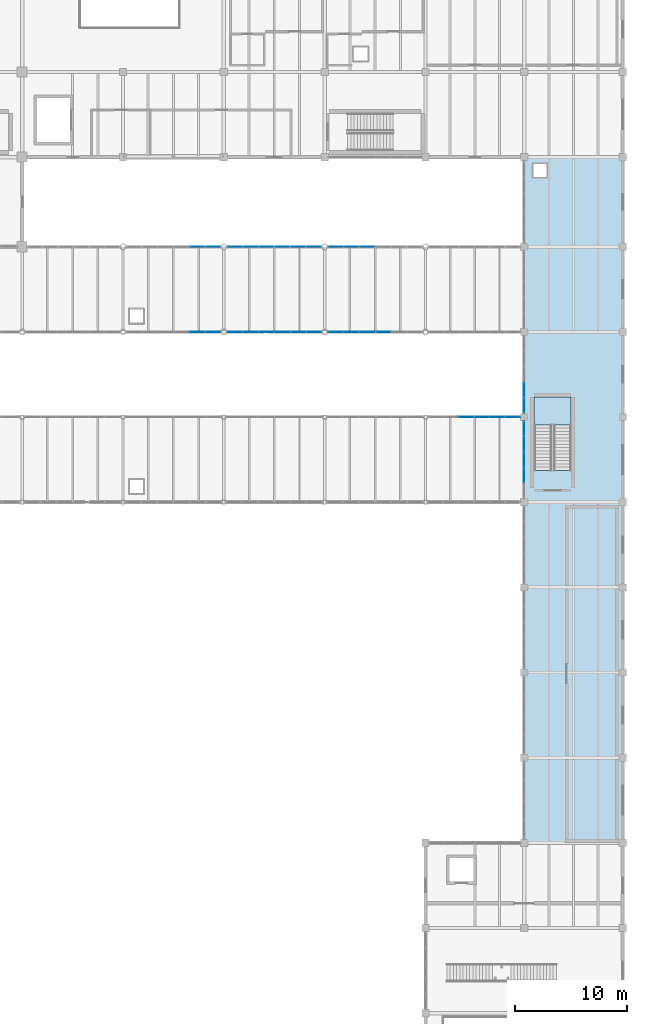
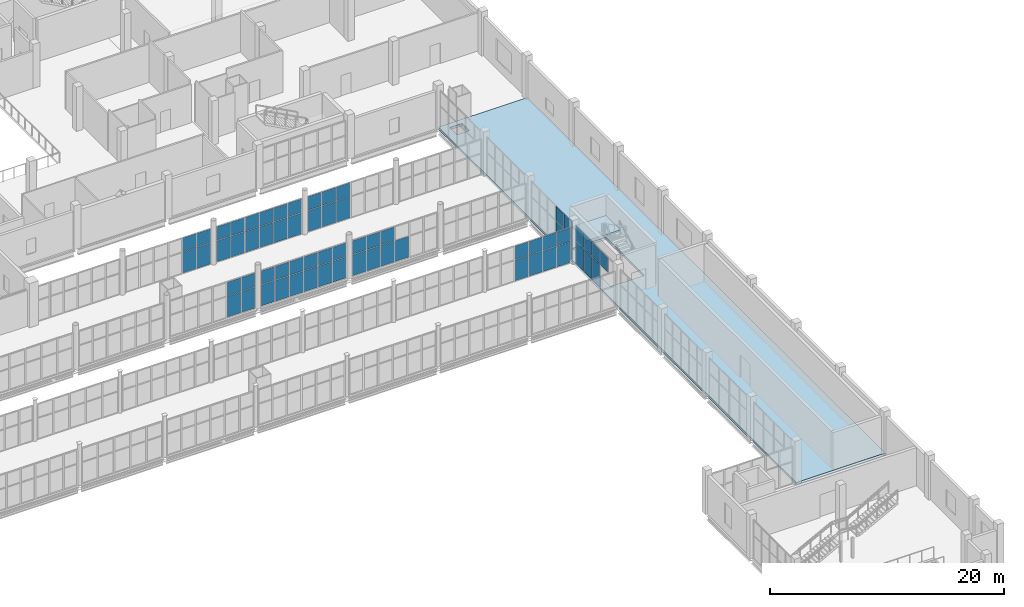
# One storey, part 139 of 172: 64 plates, 2 slabs, 10 elements without a shape of their own.
"""IFC4 building model written with IfcOpenShell, lengths in metres."""

from ifc_helpers import new_model, si_unit, direction, frame, origin, origin_2d, place, context, subcontext, project, spatial, polyline, rectangle, outline, extrude, material, layer, layer_set, type_object, element, aggregate, save


model = new_model("IFC4")

# Units and contexts
model_context = context("Model", 3, precision=1e-05, world=origin(), true_north=direction((0.0, 1.0)))
body_context = subcontext(model_context, "Body", "Model", "MODEL_VIEW")
ifc_project = project(units=[si_unit("LENGTHUNIT", "METRE"), si_unit("AREAUNIT", "SQUARE_METRE"), si_unit("VOLUMEUNIT", "CUBIC_METRE"), si_unit("PLANEANGLEUNIT", "RADIAN"), si_unit("MASSUNIT", "GRAM", prefix="KILO")], contexts=[model_context])

# Site, building, storey
site_placement = place(None, origin())
site = spatial("IfcSite", under=ifc_project, at=site_placement, CompositionType="ELEMENT")
building_placement = place(site_placement, origin())
building = spatial("IfcBuilding", under=site, at=building_placement, Name="Shengluoqiao Park Theatre", CompositionType="ELEMENT")
storey_placement = place(building_placement, frame((0.0, 0.0, 5.39990234375)))
storey = spatial("IfcBuildingStorey", under=building, at=storey_placement, Name="L01", CompositionType="ELEMENT", Elevation=5.39990234375)

# Curtain wall, plates
ifc_material_1 = material(Name="Aluminium 6063-T6", Category="aluminium")
curtain_wall_type_1 = type_object("IfcCurtainWallType", Name="ENV-CW-BRIDGE", PredefinedType="NOTDEFINED", material=ifc_material_1)
curtain_wall_1_placement = place(storey_placement, origin())
curtain_wall_1 = element("IfcCurtainWall", 1, at=curtain_wall_1_placement, inside=storey, type_object=curtain_wall_type_1, Name="L01 Curtain Wall CWX-L01-0095", PredefinedType="NOTDEFINED")
ifc_material_2 = material(Name="Insulated glass", Category="glass")
ifc_layer_1 = layer(ifc_material_2, 0.0380859375, Name="Insulated glass")
ifc_layer_set_1 = layer_set([ifc_layer_1], Name="Insulated glass")
plate_type = type_object("IfcPlateType", Name="ENV-GLZ-GL-38", PredefinedType="CURTAIN_PANEL", material=ifc_layer_set_1)
plate_1_placement = place(storey_placement, frame((128.02099609375, 68.39990234375, 0.06005859375), z_axis=(0.0, 0.0, 1.0), x_axis=(1.0, 0.0, 0.0)))
plate_1 = element("IfcPlate", 2, at=plate_1_placement, type_object=plate_type, Name="CW-03 panel 5.1", PredefinedType="CURTAIN_PANEL", context=body_context, shape_type="SweptSolid", body=[
    extrude(rectangle(XDim=1.35400390625, YDim=0.0380859375, at=origin_2d()), origin(), (0.0, 0.0, 1.0), 2.173095703125),
])
plate_2_placement = place(storey_placement, frame((128.02099609375, 68.39990234375, 2.293212890625), z_axis=(0.0, 0.0, 1.0), x_axis=(1.0, 0.0, 0.0)))
plate_2 = element("IfcPlate", 3, at=plate_2_placement, type_object=plate_type, Name="CW-03 panel 5.2", PredefinedType="CURTAIN_PANEL", context=body_context, shape_type="SweptSolid", body=[
    extrude(rectangle(XDim=1.35400390625, YDim=0.0380859375, at=origin_2d()), origin(), (0.0, 0.0, 1.0), 1.4189453125),
])
plate_3_placement = place(storey_placement, frame((129.419921875, 68.39990234375, 0.06005859375), z_axis=(0.0, 0.0, 1.0), x_axis=(1.0, 0.0, 0.0)))
plate_3 = element("IfcPlate", 4, at=plate_3_placement, type_object=plate_type, Name="CW-03 panel 6.1", PredefinedType="CURTAIN_PANEL", context=body_context, shape_type="SweptSolid", body=[
    extrude(rectangle(XDim=1.323974609375, YDim=0.0380859375, at=origin_2d()), origin(), (0.0, 0.0, 1.0), 2.173095703125),
])
plate_4_placement = place(storey_placement, frame((129.419921875, 68.39990234375, 2.293212890625), z_axis=(0.0, 0.0, 1.0), x_axis=(1.0, 0.0, 0.0)))
plate_4 = element("IfcPlate", 5, at=plate_4_placement, type_object=plate_type, Name="CW-03 panel 6.2", PredefinedType="CURTAIN_PANEL", context=body_context, shape_type="SweptSolid", body=[
    extrude(rectangle(XDim=1.323974609375, YDim=0.0380859375, at=origin_2d()), origin(), (0.0, 0.0, 1.0), 1.4189453125),
])
aggregate(curtain_wall_1, [plate_1, plate_2, plate_3, plate_4])

curtain_wall_2_placement = place(storey_placement, origin())
curtain_wall_2 = element("IfcCurtainWall", 6, at=curtain_wall_2_placement, inside=storey, type_object=curtain_wall_type_1, Name="L01 Curtain Wall CWX-L01-0096", PredefinedType="NOTDEFINED")
plate_5_placement = place(storey_placement, frame((131.3798828125, 68.39990234375, 0.06005859375), z_axis=(0.0, 0.0, 1.0), x_axis=(1.0, 0.0, 0.0)))
plate_5 = element("IfcPlate", 7, at=plate_5_placement, type_object=plate_type, Name="CW-03 panel 1.1", PredefinedType="CURTAIN_PANEL", context=body_context, shape_type="SweptSolid", body=[
    extrude(rectangle(XDim=1.323974609375, YDim=0.0380859375, at=origin_2d()), origin(), (0.0, 0.0, 1.0), 2.173095703125),
])
plate_6_placement = place(storey_placement, frame((131.3798828125, 68.39990234375, 2.293212890625), z_axis=(0.0, 0.0, 1.0), x_axis=(1.0, 0.0, 0.0)))
plate_6 = element("IfcPlate", 8, at=plate_6_placement, type_object=plate_type, Name="CW-03 panel 1.2", PredefinedType="CURTAIN_PANEL", context=body_context, shape_type="SweptSolid", body=[
    extrude(rectangle(XDim=1.323974609375, YDim=0.0380859375, at=origin_2d()), origin(), (0.0, 0.0, 1.0), 1.4189453125),
])
plate_7_placement = place(storey_placement, frame((132.779052734375, 68.39990234375, 0.06005859375), z_axis=(0.0, 0.0, 1.0), x_axis=(1.0, 0.0, 0.0)))
plate_7 = element("IfcPlate", 9, at=plate_7_placement, type_object=plate_type, Name="CW-03 panel 2.1", PredefinedType="CURTAIN_PANEL", context=body_context, shape_type="SweptSolid", body=[
    extrude(rectangle(XDim=1.35400390625, YDim=0.0380859375, at=origin_2d()), origin(), (0.0, 0.0, 1.0), 2.173095703125),
])
plate_8_placement = place(storey_placement, frame((132.779052734375, 68.39990234375, 2.293212890625), z_axis=(0.0, 0.0, 1.0), x_axis=(1.0, 0.0, 0.0)))
plate_8 = element("IfcPlate", 10, at=plate_8_placement, type_object=plate_type, Name="CW-03 panel 2.2", PredefinedType="CURTAIN_PANEL", context=body_context, shape_type="SweptSolid", body=[
    extrude(rectangle(XDim=1.35400390625, YDim=0.0380859375, at=origin_2d()), origin(), (0.0, 0.0, 1.0), 1.4189453125),
])
plate_9_placement = place(storey_placement, frame((134.193115234375, 68.39990234375, 0.06005859375), z_axis=(0.0, 0.0, 1.0), x_axis=(1.0, 0.0, 0.0)))
plate_9 = element("IfcPlate", 11, at=plate_9_placement, type_object=plate_type, Name="CW-03 panel 3.1", PredefinedType="CURTAIN_PANEL", context=body_context, shape_type="SweptSolid", body=[
    extrude(rectangle(XDim=1.35400390625, YDim=0.0380859375, at=origin_2d()), origin(), (0.0, 0.0, 1.0), 2.173095703125),
])
plate_10_placement = place(storey_placement, frame((134.193115234375, 68.39990234375, 2.293212890625), z_axis=(0.0, 0.0, 1.0), x_axis=(1.0, 0.0, 0.0)))
plate_10 = element("IfcPlate", 12, at=plate_10_placement, type_object=plate_type, Name="CW-03 panel 3.2", PredefinedType="CURTAIN_PANEL", context=body_context, shape_type="SweptSolid", body=[
    extrude(rectangle(XDim=1.35400390625, YDim=0.0380859375, at=origin_2d()), origin(), (0.0, 0.0, 1.0), 1.4189453125),
])
plate_11_placement = place(storey_placement, frame((135.60693359375, 68.39990234375, 0.06005859375), z_axis=(0.0, 0.0, 1.0), x_axis=(1.0, 0.0, 0.0)))
plate_11 = element("IfcPlate", 13, at=plate_11_placement, type_object=plate_type, Name="CW-03 panel 4.1", PredefinedType="CURTAIN_PANEL", context=body_context, shape_type="SweptSolid", body=[
    extrude(rectangle(XDim=1.35400390625, YDim=0.0380859375, at=origin_2d()), origin(), (0.0, 0.0, 1.0), 2.173095703125),
])
plate_12_placement = place(storey_placement, frame((135.60693359375, 68.39990234375, 2.293212890625), z_axis=(0.0, 0.0, 1.0), x_axis=(1.0, 0.0, 0.0)))
plate_12 = element("IfcPlate", 14, at=plate_12_placement, type_object=plate_type, Name="CW-03 panel 4.2", PredefinedType="CURTAIN_PANEL", context=body_context, shape_type="SweptSolid", body=[
    extrude(rectangle(XDim=1.35400390625, YDim=0.0380859375, at=origin_2d()), origin(), (0.0, 0.0, 1.0), 1.4189453125),
])
plate_13_placement = place(storey_placement, frame((137.02099609375, 68.39990234375, 0.06005859375), z_axis=(0.0, 0.0, 1.0), x_axis=(1.0, 0.0, 0.0)))
plate_13 = element("IfcPlate", 15, at=plate_13_placement, type_object=plate_type, Name="CW-03 panel 5.1", PredefinedType="CURTAIN_PANEL", context=body_context, shape_type="SweptSolid", body=[
    extrude(rectangle(XDim=1.35400390625, YDim=0.0380859375, at=origin_2d()), origin(), (0.0, 0.0, 1.0), 2.173095703125),
])
plate_14_placement = place(storey_placement, frame((137.02099609375, 68.39990234375, 2.293212890625), z_axis=(0.0, 0.0, 1.0), x_axis=(1.0, 0.0, 0.0)))
plate_14 = element("IfcPlate", 16, at=plate_14_placement, type_object=plate_type, Name="CW-03 panel 5.2", PredefinedType="CURTAIN_PANEL", context=body_context, shape_type="SweptSolid", body=[
    extrude(rectangle(XDim=1.35400390625, YDim=0.0380859375, at=origin_2d()), origin(), (0.0, 0.0, 1.0), 1.4189453125),
])
plate_15_placement = place(storey_placement, frame((138.419921875, 68.39990234375, 0.06005859375), z_axis=(0.0, 0.0, 1.0), x_axis=(1.0, 0.0, 0.0)))
plate_15 = element("IfcPlate", 17, at=plate_15_placement, type_object=plate_type, Name="CW-03 panel 6.1", PredefinedType="CURTAIN_PANEL", context=body_context, shape_type="SweptSolid", body=[
    extrude(rectangle(XDim=1.323974609375, YDim=0.0380859375, at=origin_2d()), origin(), (0.0, 0.0, 1.0), 2.173095703125),
])
plate_16_placement = place(storey_placement, frame((138.419921875, 68.39990234375, 2.293212890625), z_axis=(0.0, 0.0, 1.0), x_axis=(1.0, 0.0, 0.0)))
plate_16 = element("IfcPlate", 18, at=plate_16_placement, type_object=plate_type, Name="CW-03 panel 6.2", PredefinedType="CURTAIN_PANEL", context=body_context, shape_type="SweptSolid", body=[
    extrude(rectangle(XDim=1.323974609375, YDim=0.0380859375, at=origin_2d()), origin(), (0.0, 0.0, 1.0), 1.4189453125),
])
aggregate(curtain_wall_2, [plate_5, plate_6, plate_7, plate_8, plate_9, plate_10, plate_11, plate_12, plate_13, plate_14, plate_15, plate_16])

curtain_wall_3_placement = place(storey_placement, origin())
curtain_wall_3 = element("IfcCurtainWall", 19, at=curtain_wall_3_placement, inside=storey, type_object=curtain_wall_type_1, Name="L01 Curtain Wall CWX-L01-0097", PredefinedType="NOTDEFINED")
plate_17_placement = place(storey_placement, frame((140.3798828125, 68.39990234375, 0.06005859375), z_axis=(0.0, 0.0, 1.0), x_axis=(1.0, 0.0, 0.0)))
plate_17 = element("IfcPlate", 20, at=plate_17_placement, type_object=plate_type, Name="CW-03 panel 1.1", PredefinedType="CURTAIN_PANEL", context=body_context, shape_type="SweptSolid", body=[
    extrude(rectangle(XDim=1.323974609375, YDim=0.0380859375, at=origin_2d()), origin(), (0.0, 0.0, 1.0), 2.173095703125),
])
plate_18_placement = place(storey_placement, frame((140.3798828125, 68.39990234375, 2.293212890625), z_axis=(0.0, 0.0, 1.0), x_axis=(1.0, 0.0, 0.0)))
plate_18 = element("IfcPlate", 21, at=plate_18_placement, type_object=plate_type, Name="CW-03 panel 1.2", PredefinedType="CURTAIN_PANEL", context=body_context, shape_type="SweptSolid", body=[
    extrude(rectangle(XDim=1.323974609375, YDim=0.0380859375, at=origin_2d()), origin(), (0.0, 0.0, 1.0), 1.4189453125),
])
plate_19_placement = place(storey_placement, frame((141.779052734375, 68.39990234375, 0.06005859375), z_axis=(0.0, 0.0, 1.0), x_axis=(1.0, 0.0, 0.0)))
plate_19 = element("IfcPlate", 22, at=plate_19_placement, type_object=plate_type, Name="CW-03 panel 2.1", PredefinedType="CURTAIN_PANEL", context=body_context, shape_type="SweptSolid", body=[
    extrude(rectangle(XDim=1.35400390625, YDim=0.0380859375, at=origin_2d()), origin(), (0.0, 0.0, 1.0), 2.173095703125),
])
plate_20_placement = place(storey_placement, frame((141.779052734375, 68.39990234375, 2.293212890625), z_axis=(0.0, 0.0, 1.0), x_axis=(1.0, 0.0, 0.0)))
plate_20 = element("IfcPlate", 23, at=plate_20_placement, type_object=plate_type, Name="CW-03 panel 2.2", PredefinedType="CURTAIN_PANEL", context=body_context, shape_type="SweptSolid", body=[
    extrude(rectangle(XDim=1.35400390625, YDim=0.0380859375, at=origin_2d()), origin(), (0.0, 0.0, 1.0), 1.4189453125),
])
plate_21_placement = place(storey_placement, frame((143.193115234375, 68.39990234375, 0.06005859375), z_axis=(0.0, 0.0, 1.0), x_axis=(1.0, 0.0, 0.0)))
plate_21 = element("IfcPlate", 24, at=plate_21_placement, type_object=plate_type, Name="CW-03 panel 3.1", PredefinedType="CURTAIN_PANEL", context=body_context, shape_type="SweptSolid", body=[
    extrude(rectangle(XDim=1.35400390625, YDim=0.0380859375, at=origin_2d()), origin(), (0.0, 0.0, 1.0), 2.173095703125),
])
plate_22_placement = place(storey_placement, frame((143.193115234375, 68.39990234375, 2.293212890625), z_axis=(0.0, 0.0, 1.0), x_axis=(1.0, 0.0, 0.0)))
plate_22 = element("IfcPlate", 25, at=plate_22_placement, type_object=plate_type, Name="CW-03 panel 3.2", PredefinedType="CURTAIN_PANEL", context=body_context, shape_type="SweptSolid", body=[
    extrude(rectangle(XDim=1.35400390625, YDim=0.0380859375, at=origin_2d()), origin(), (0.0, 0.0, 1.0), 1.4189453125),
])
plate_23_placement = place(storey_placement, frame((144.60693359375, 68.39990234375, 0.06005859375), z_axis=(0.0, 0.0, 1.0), x_axis=(1.0, 0.0, 0.0)))
plate_23 = element("IfcPlate", 26, at=plate_23_placement, type_object=plate_type, Name="CW-03 panel 4.1", PredefinedType="CURTAIN_PANEL", context=body_context, shape_type="SweptSolid", body=[
    extrude(rectangle(XDim=1.35400390625, YDim=0.0380859375, at=origin_2d()), origin(), (0.0, 0.0, 1.0), 2.173095703125),
])
aggregate(curtain_wall_3, [plate_17, plate_18, plate_19, plate_20, plate_21, plate_22, plate_23])

curtain_wall_4_placement = place(storey_placement, origin())
curtain_wall_4 = element("IfcCurtainWall", 27, at=curtain_wall_4_placement, inside=storey, type_object=curtain_wall_type_1, Name="L01 Curtain Wall CWX-L01-0103", PredefinedType="NOTDEFINED")
plate_24_placement = place(storey_placement, frame((128.02099609375, 76.0, 0.06005859375), z_axis=(0.0, 0.0, 1.0), x_axis=(1.0, 0.0, 0.0)))
plate_24 = element("IfcPlate", 28, at=plate_24_placement, type_object=plate_type, Name="CW-03 panel 5.1", PredefinedType="CURTAIN_PANEL", context=body_context, shape_type="SweptSolid", body=[
    extrude(rectangle(XDim=1.35400390625, YDim=0.0380859375, at=origin_2d()), origin(), (0.0, 0.0, 1.0), 2.173095703125),
])
plate_25_placement = place(storey_placement, frame((128.02099609375, 76.0, 2.293212890625), z_axis=(0.0, 0.0, 1.0), x_axis=(1.0, 0.0, 0.0)))
plate_25 = element("IfcPlate", 29, at=plate_25_placement, type_object=plate_type, Name="CW-03 panel 5.2", PredefinedType="CURTAIN_PANEL", context=body_context, shape_type="SweptSolid", body=[
    extrude(rectangle(XDim=1.35400390625, YDim=0.0380859375, at=origin_2d()), origin(), (0.0, 0.0, 1.0), 1.4189453125),
])
plate_26_placement = place(storey_placement, frame((129.419921875, 76.0, 0.06005859375), z_axis=(0.0, 0.0, 1.0), x_axis=(1.0, 0.0, 0.0)))
plate_26 = element("IfcPlate", 30, at=plate_26_placement, type_object=plate_type, Name="CW-03 panel 6.1", PredefinedType="CURTAIN_PANEL", context=body_context, shape_type="SweptSolid", body=[
    extrude(rectangle(XDim=1.323974609375, YDim=0.0380859375, at=origin_2d()), origin(), (0.0, 0.0, 1.0), 2.173095703125),
])
plate_27_placement = place(storey_placement, frame((129.419921875, 76.0, 2.293212890625), z_axis=(0.0, 0.0, 1.0), x_axis=(1.0, 0.0, 0.0)))
plate_27 = element("IfcPlate", 31, at=plate_27_placement, type_object=plate_type, Name="CW-03 panel 6.2", PredefinedType="CURTAIN_PANEL", context=body_context, shape_type="SweptSolid", body=[
    extrude(rectangle(XDim=1.323974609375, YDim=0.0380859375, at=origin_2d()), origin(), (0.0, 0.0, 1.0), 1.4189453125),
])
aggregate(curtain_wall_4, [plate_24, plate_25, plate_26, plate_27])

curtain_wall_5_placement = place(storey_placement, origin())
curtain_wall_5 = element("IfcCurtainWall", 32, at=curtain_wall_5_placement, inside=storey, type_object=curtain_wall_type_1, Name="L01 Curtain Wall CWX-L01-0104", PredefinedType="NOTDEFINED")
plate_28_placement = place(storey_placement, frame((131.3798828125, 76.0, 0.06005859375), z_axis=(0.0, 0.0, 1.0), x_axis=(1.0, 0.0, 0.0)))
plate_28 = element("IfcPlate", 33, at=plate_28_placement, type_object=plate_type, Name="CW-03 panel 1.1", PredefinedType="CURTAIN_PANEL", context=body_context, shape_type="SweptSolid", body=[
    extrude(rectangle(XDim=1.323974609375, YDim=0.0380859375, at=origin_2d()), origin(), (0.0, 0.0, 1.0), 2.173095703125),
])
plate_29_placement = place(storey_placement, frame((131.3798828125, 76.0, 2.293212890625), z_axis=(0.0, 0.0, 1.0), x_axis=(1.0, 0.0, 0.0)))
plate_29 = element("IfcPlate", 34, at=plate_29_placement, type_object=plate_type, Name="CW-03 panel 1.2", PredefinedType="CURTAIN_PANEL", context=body_context, shape_type="SweptSolid", body=[
    extrude(rectangle(XDim=1.323974609375, YDim=0.0380859375, at=origin_2d()), origin(), (0.0, 0.0, 1.0), 1.4189453125),
])
plate_30_placement = place(storey_placement, frame((132.779052734375, 76.0, 0.06005859375), z_axis=(0.0, 0.0, 1.0), x_axis=(1.0, 0.0, 0.0)))
plate_30 = element("IfcPlate", 35, at=plate_30_placement, type_object=plate_type, Name="CW-03 panel 2.1", PredefinedType="CURTAIN_PANEL", context=body_context, shape_type="SweptSolid", body=[
    extrude(rectangle(XDim=1.35400390625, YDim=0.0380859375, at=origin_2d()), origin(), (0.0, 0.0, 1.0), 2.173095703125),
])
plate_31_placement = place(storey_placement, frame((132.779052734375, 76.0, 2.293212890625), z_axis=(0.0, 0.0, 1.0), x_axis=(1.0, 0.0, 0.0)))
plate_31 = element("IfcPlate", 36, at=plate_31_placement, type_object=plate_type, Name="CW-03 panel 2.2", PredefinedType="CURTAIN_PANEL", context=body_context, shape_type="SweptSolid", body=[
    extrude(rectangle(XDim=1.35400390625, YDim=0.0380859375, at=origin_2d()), origin(), (0.0, 0.0, 1.0), 1.4189453125),
])
plate_32_placement = place(storey_placement, frame((134.193115234375, 76.0, 0.06005859375), z_axis=(0.0, 0.0, 1.0), x_axis=(1.0, 0.0, 0.0)))
plate_32 = element("IfcPlate", 37, at=plate_32_placement, type_object=plate_type, Name="CW-03 panel 3.1", PredefinedType="CURTAIN_PANEL", context=body_context, shape_type="SweptSolid", body=[
    extrude(rectangle(XDim=1.35400390625, YDim=0.0380859375, at=origin_2d()), origin(), (0.0, 0.0, 1.0), 2.173095703125),
])
plate_33_placement = place(storey_placement, frame((134.193115234375, 76.0, 2.293212890625), z_axis=(0.0, 0.0, 1.0), x_axis=(1.0, 0.0, 0.0)))
plate_33 = element("IfcPlate", 38, at=plate_33_placement, type_object=plate_type, Name="CW-03 panel 3.2", PredefinedType="CURTAIN_PANEL", context=body_context, shape_type="SweptSolid", body=[
    extrude(rectangle(XDim=1.35400390625, YDim=0.0380859375, at=origin_2d()), origin(), (0.0, 0.0, 1.0), 1.4189453125),
])
plate_34_placement = place(storey_placement, frame((135.60693359375, 76.0, 0.06005859375), z_axis=(0.0, 0.0, 1.0), x_axis=(1.0, 0.0, 0.0)))
plate_34 = element("IfcPlate", 39, at=plate_34_placement, type_object=plate_type, Name="CW-03 panel 4.1", PredefinedType="CURTAIN_PANEL", context=body_context, shape_type="SweptSolid", body=[
    extrude(rectangle(XDim=1.35400390625, YDim=0.0380859375, at=origin_2d()), origin(), (0.0, 0.0, 1.0), 2.173095703125),
])
plate_35_placement = place(storey_placement, frame((135.60693359375, 76.0, 2.293212890625), z_axis=(0.0, 0.0, 1.0), x_axis=(1.0, 0.0, 0.0)))
plate_35 = element("IfcPlate", 40, at=plate_35_placement, type_object=plate_type, Name="CW-03 panel 4.2", PredefinedType="CURTAIN_PANEL", context=body_context, shape_type="SweptSolid", body=[
    extrude(rectangle(XDim=1.35400390625, YDim=0.0380859375, at=origin_2d()), origin(), (0.0, 0.0, 1.0), 1.4189453125),
])
plate_36_placement = place(storey_placement, frame((137.02099609375, 76.0, 0.06005859375), z_axis=(0.0, 0.0, 1.0), x_axis=(1.0, 0.0, 0.0)))
plate_36 = element("IfcPlate", 41, at=plate_36_placement, type_object=plate_type, Name="CW-03 panel 5.1", PredefinedType="CURTAIN_PANEL", context=body_context, shape_type="SweptSolid", body=[
    extrude(rectangle(XDim=1.35400390625, YDim=0.0380859375, at=origin_2d()), origin(), (0.0, 0.0, 1.0), 2.173095703125),
])
plate_37_placement = place(storey_placement, frame((137.02099609375, 76.0, 2.293212890625), z_axis=(0.0, 0.0, 1.0), x_axis=(1.0, 0.0, 0.0)))
plate_37 = element("IfcPlate", 42, at=plate_37_placement, type_object=plate_type, Name="CW-03 panel 5.2", PredefinedType="CURTAIN_PANEL", context=body_context, shape_type="SweptSolid", body=[
    extrude(rectangle(XDim=1.35400390625, YDim=0.0380859375, at=origin_2d()), origin(), (0.0, 0.0, 1.0), 1.4189453125),
])
plate_38_placement = place(storey_placement, frame((138.419921875, 76.0, 0.06005859375), z_axis=(0.0, 0.0, 1.0), x_axis=(1.0, 0.0, 0.0)))
plate_38 = element("IfcPlate", 43, at=plate_38_placement, type_object=plate_type, Name="CW-03 panel 6.1", PredefinedType="CURTAIN_PANEL", context=body_context, shape_type="SweptSolid", body=[
    extrude(rectangle(XDim=1.323974609375, YDim=0.0380859375, at=origin_2d()), origin(), (0.0, 0.0, 1.0), 2.173095703125),
])
plate_39_placement = place(storey_placement, frame((138.419921875, 76.0, 2.293212890625), z_axis=(0.0, 0.0, 1.0), x_axis=(1.0, 0.0, 0.0)))
plate_39 = element("IfcPlate", 44, at=plate_39_placement, type_object=plate_type, Name="CW-03 panel 6.2", PredefinedType="CURTAIN_PANEL", context=body_context, shape_type="SweptSolid", body=[
    extrude(rectangle(XDim=1.323974609375, YDim=0.0380859375, at=origin_2d()), origin(), (0.0, 0.0, 1.0), 1.4189453125),
])
aggregate(curtain_wall_5, [plate_28, plate_29, plate_30, plate_31, plate_32, plate_33, plate_34, plate_35, plate_36, plate_37, plate_38, plate_39])

curtain_wall_6_placement = place(storey_placement, origin())
curtain_wall_6 = element("IfcCurtainWall", 45, at=curtain_wall_6_placement, inside=storey, type_object=curtain_wall_type_1, Name="L01 Curtain Wall CWX-L01-0105", PredefinedType="NOTDEFINED")
plate_40_placement = place(storey_placement, frame((140.3798828125, 76.0, 0.06005859375), z_axis=(0.0, 0.0, 1.0), x_axis=(1.0, 0.0, 0.0)))
plate_40 = element("IfcPlate", 46, at=plate_40_placement, type_object=plate_type, Name="CW-03 panel 1.1", PredefinedType="CURTAIN_PANEL", context=body_context, shape_type="SweptSolid", body=[
    extrude(rectangle(XDim=1.323974609375, YDim=0.0380859375, at=origin_2d()), origin(), (0.0, 0.0, 1.0), 2.173095703125),
])
plate_41_placement = place(storey_placement, frame((140.3798828125, 76.0, 2.293212890625), z_axis=(0.0, 0.0, 1.0), x_axis=(1.0, 0.0, 0.0)))
plate_41 = element("IfcPlate", 47, at=plate_41_placement, type_object=plate_type, Name="CW-03 panel 1.2", PredefinedType="CURTAIN_PANEL", context=body_context, shape_type="SweptSolid", body=[
    extrude(rectangle(XDim=1.323974609375, YDim=0.0380859375, at=origin_2d()), origin(), (0.0, 0.0, 1.0), 1.4189453125),
])
plate_42_placement = place(storey_placement, frame((141.779052734375, 76.0, 0.06005859375), z_axis=(0.0, 0.0, 1.0), x_axis=(1.0, 0.0, 0.0)))
plate_42 = element("IfcPlate", 48, at=plate_42_placement, type_object=plate_type, Name="CW-03 panel 2.1", PredefinedType="CURTAIN_PANEL", context=body_context, shape_type="SweptSolid", body=[
    extrude(rectangle(XDim=1.35400390625, YDim=0.0380859375, at=origin_2d()), origin(), (0.0, 0.0, 1.0), 2.173095703125),
])
plate_43_placement = place(storey_placement, frame((141.779052734375, 76.0, 2.293212890625), z_axis=(0.0, 0.0, 1.0), x_axis=(1.0, 0.0, 0.0)))
plate_43 = element("IfcPlate", 49, at=plate_43_placement, type_object=plate_type, Name="CW-03 panel 2.2", PredefinedType="CURTAIN_PANEL", context=body_context, shape_type="SweptSolid", body=[
    extrude(rectangle(XDim=1.35400390625, YDim=0.0380859375, at=origin_2d()), origin(), (0.0, 0.0, 1.0), 1.4189453125),
])
plate_44_placement = place(storey_placement, frame((143.193115234375, 76.0, 0.06005859375), z_axis=(0.0, 0.0, 1.0), x_axis=(1.0, 0.0, 0.0)))
plate_44 = element("IfcPlate", 50, at=plate_44_placement, type_object=plate_type, Name="CW-03 panel 3.1", PredefinedType="CURTAIN_PANEL", context=body_context, shape_type="SweptSolid", body=[
    extrude(rectangle(XDim=1.35400390625, YDim=0.0380859375, at=origin_2d()), origin(), (0.0, 0.0, 1.0), 2.173095703125),
])
plate_45_placement = place(storey_placement, frame((143.193115234375, 76.0, 2.293212890625), z_axis=(0.0, 0.0, 1.0), x_axis=(1.0, 0.0, 0.0)))
plate_45 = element("IfcPlate", 51, at=plate_45_placement, type_object=plate_type, Name="CW-03 panel 3.2", PredefinedType="CURTAIN_PANEL", context=body_context, shape_type="SweptSolid", body=[
    extrude(rectangle(XDim=1.35400390625, YDim=0.0380859375, at=origin_2d()), origin(), (0.0, 0.0, 1.0), 1.4189453125),
])
aggregate(curtain_wall_6, [plate_40, plate_41, plate_42, plate_43, plate_44, plate_45])

curtain_wall_7_placement = place(storey_placement, origin())
curtain_wall_7 = element("IfcCurtainWall", 52, at=curtain_wall_7_placement, inside=storey, type_object=curtain_wall_type_1, Name="L01 Curtain Wall CWX-L01-0148", PredefinedType="NOTDEFINED")
plate_46_placement = place(storey_placement, frame((152.03564453125, 60.800048828125, 0.06005859375), z_axis=(0.0, 0.0, 1.0), x_axis=(1.0, 0.0, 0.0)))
plate_46 = element("IfcPlate", 53, at=plate_46_placement, type_object=plate_type, Name="CW-03 panel 3.1", PredefinedType="CURTAIN_PANEL", context=body_context, shape_type="SweptSolid", body=[
    extrude(rectangle(XDim=1.321533203125, YDim=0.0380859375, at=origin_2d()), origin(), (0.0, 0.0, 1.0), 2.155029296875),
])
plate_47_placement = place(storey_placement, frame((152.03564453125, 60.800048828125, 2.27490234375), z_axis=(0.0, 0.0, 1.0), x_axis=(1.0, 0.0, 0.0)))
plate_47 = element("IfcPlate", 54, at=plate_47_placement, type_object=plate_type, Name="CW-03 panel 3.2", PredefinedType="CURTAIN_PANEL", context=body_context, shape_type="SweptSolid", body=[
    extrude(rectangle(XDim=1.321533203125, YDim=0.0380859375, at=origin_2d()), origin(), (0.0, 0.0, 1.0), 1.406982421875),
])
plate_48_placement = place(storey_placement, frame((153.417236328125, 60.800048828125, 0.06005859375), z_axis=(0.0, 0.0, 1.0), x_axis=(1.0, 0.0, 0.0)))
plate_48 = element("IfcPlate", 55, at=plate_48_placement, type_object=plate_type, Name="CW-03 panel 4.1", PredefinedType="CURTAIN_PANEL", context=body_context, shape_type="SweptSolid", body=[
    extrude(rectangle(XDim=1.321533203125, YDim=0.0380859375, at=origin_2d()), origin(), (0.0, 0.0, 1.0), 2.155029296875),
])
plate_49_placement = place(storey_placement, frame((153.417236328125, 60.800048828125, 2.27490234375), z_axis=(0.0, 0.0, 1.0), x_axis=(1.0, 0.0, 0.0)))
plate_49 = element("IfcPlate", 56, at=plate_49_placement, type_object=plate_type, Name="CW-03 panel 4.2", PredefinedType="CURTAIN_PANEL", context=body_context, shape_type="SweptSolid", body=[
    extrude(rectangle(XDim=1.321533203125, YDim=0.0380859375, at=origin_2d()), origin(), (0.0, 0.0, 1.0), 1.406982421875),
])
plate_50_placement = place(storey_placement, frame((154.798828125, 60.800048828125, 0.06005859375), z_axis=(0.0, 0.0, 1.0), x_axis=(1.0, 0.0, 0.0)))
plate_50 = element("IfcPlate", 57, at=plate_50_placement, type_object=plate_type, Name="CW-03 panel 5.1", PredefinedType="CURTAIN_PANEL", context=body_context, shape_type="SweptSolid", body=[
    extrude(rectangle(XDim=1.321533203125, YDim=0.0380859375, at=origin_2d()), origin(), (0.0, 0.0, 1.0), 2.155029296875),
])
plate_51_placement = place(storey_placement, frame((154.798828125, 60.800048828125, 2.27490234375), z_axis=(0.0, 0.0, 1.0), x_axis=(1.0, 0.0, 0.0)))
plate_51 = element("IfcPlate", 58, at=plate_51_placement, type_object=plate_type, Name="CW-03 panel 5.2", PredefinedType="CURTAIN_PANEL", context=body_context, shape_type="SweptSolid", body=[
    extrude(rectangle(XDim=1.321533203125, YDim=0.0380859375, at=origin_2d()), origin(), (0.0, 0.0, 1.0), 1.406982421875),
])
plate_52_placement = place(storey_placement, frame((156.165283203125, 60.800048828125, 0.06005859375), z_axis=(0.0, 0.0, 1.0), x_axis=(1.0, 0.0, 0.0)))
plate_52 = element("IfcPlate", 59, at=plate_52_placement, type_object=plate_type, Name="CW-03 panel 6.1", PredefinedType="CURTAIN_PANEL", context=body_context, shape_type="SweptSolid", body=[
    extrude(rectangle(XDim=1.29150390625, YDim=0.0380859375, at=origin_2d()), origin(), (0.0, 0.0, 1.0), 2.155029296875),
])
plate_53_placement = place(storey_placement, frame((156.165283203125, 60.800048828125, 2.27490234375), z_axis=(0.0, 0.0, 1.0), x_axis=(1.0, 0.0, 0.0)))
plate_53 = element("IfcPlate", 60, at=plate_53_placement, type_object=plate_type, Name="CW-03 panel 6.2", PredefinedType="CURTAIN_PANEL", context=body_context, shape_type="SweptSolid", body=[
    extrude(rectangle(XDim=1.29150390625, YDim=0.0380859375, at=origin_2d()), origin(), (0.0, 0.0, 1.0), 1.406982421875),
])
aggregate(curtain_wall_7, [plate_46, plate_47, plate_48, plate_49, plate_50, plate_51, plate_52, plate_53])

curtain_wall_type_2 = type_object("IfcCurtainWallType", Name="ENV-CW-COURT", PredefinedType="NOTDEFINED", material=ifc_material_1)
curtain_wall_8_placement = place(storey_placement, origin())
curtain_wall_8 = element("IfcCurtainWall", 61, at=curtain_wall_8_placement, inside=storey, type_object=curtain_wall_type_2, Name="L01 Curtain Wall CWX-L01-0185", PredefinedType="NOTDEFINED")
plate_54_placement = place(storey_placement, frame((157.199951171875, 55.611572265625, 2.4560546875), z_axis=(0.0, 0.0, 1.0), x_axis=(0.0, 1.0, 0.0)))
plate_54 = element("IfcPlate", 62, at=plate_54_placement, type_object=plate_type, Name="CW-05 panel 2.2", PredefinedType="CURTAIN_PANEL", context=body_context, shape_type="SweptSolid", body=[
    extrude(rectangle(XDim=1.328369140625, YDim=0.0380859375, at=origin_2d()), origin(), (0.0, 0.0, 1.0), 1.528076171875),
])
plate_55_placement = place(storey_placement, frame((157.199951171875, 57.0, 0.06005859375), z_axis=(0.0, 0.0, 1.0), x_axis=(0.0, 1.0, 0.0)))
plate_55 = element("IfcPlate", 63, at=plate_55_placement, type_object=plate_type, Name="CW-05 panel 3.1", PredefinedType="CURTAIN_PANEL", context=body_context, shape_type="SweptSolid", body=[
    extrude(rectangle(XDim=1.328369140625, YDim=0.0380859375, at=origin_2d()), origin(), (0.0, 0.0, 1.0), 2.3359375),
])
plate_56_placement = place(storey_placement, frame((157.199951171875, 57.0, 2.4560546875), z_axis=(0.0, 0.0, 1.0), x_axis=(0.0, 1.0, 0.0)))
plate_56 = element("IfcPlate", 64, at=plate_56_placement, type_object=plate_type, Name="CW-05 panel 3.2", PredefinedType="CURTAIN_PANEL", context=body_context, shape_type="SweptSolid", body=[
    extrude(rectangle(XDim=1.328369140625, YDim=0.0380859375, at=origin_2d()), origin(), (0.0, 0.0, 1.0), 1.528076171875),
])
plate_57_placement = place(storey_placement, frame((157.199951171875, 58.388427734375, 0.06005859375), z_axis=(0.0, 0.0, 1.0), x_axis=(0.0, 1.0, 0.0)))
plate_57 = element("IfcPlate", 65, at=plate_57_placement, type_object=plate_type, Name="CW-05 panel 4.1", PredefinedType="CURTAIN_PANEL", context=body_context, shape_type="SweptSolid", body=[
    extrude(rectangle(XDim=1.328369140625, YDim=0.0380859375, at=origin_2d()), origin(), (0.0, 0.0, 1.0), 2.3359375),
])
plate_58_placement = place(storey_placement, frame((157.199951171875, 58.388427734375, 2.4560546875), z_axis=(0.0, 0.0, 1.0), x_axis=(0.0, 1.0, 0.0)))
plate_58 = element("IfcPlate", 66, at=plate_58_placement, type_object=plate_type, Name="CW-05 panel 4.2", PredefinedType="CURTAIN_PANEL", context=body_context, shape_type="SweptSolid", body=[
    extrude(rectangle(XDim=1.328369140625, YDim=0.0380859375, at=origin_2d()), origin(), (0.0, 0.0, 1.0), 1.528076171875),
])
plate_59_placement = place(storey_placement, frame((157.199951171875, 59.76171875, 0.06005859375), z_axis=(0.0, 0.0, 1.0), x_axis=(0.0, 1.0, 0.0)))
plate_59 = element("IfcPlate", 67, at=plate_59_placement, type_object=plate_type, Name="CW-05 panel 5.1", PredefinedType="CURTAIN_PANEL", context=body_context, shape_type="SweptSolid", body=[
    extrude(rectangle(XDim=1.29833984375, YDim=0.0380859375, at=origin_2d()), origin(), (0.0, 0.0, 1.0), 2.3359375),
])
plate_60_placement = place(storey_placement, frame((157.199951171875, 59.76171875, 2.4560546875), z_axis=(0.0, 0.0, 1.0), x_axis=(0.0, 1.0, 0.0)))
plate_60 = element("IfcPlate", 68, at=plate_60_placement, type_object=plate_type, Name="CW-05 panel 5.2", PredefinedType="CURTAIN_PANEL", context=body_context, shape_type="SweptSolid", body=[
    extrude(rectangle(XDim=1.29833984375, YDim=0.0380859375, at=origin_2d()), origin(), (0.0, 0.0, 1.0), 1.528076171875),
])
aggregate(curtain_wall_8, [plate_54, plate_55, plate_56, plate_57, plate_58, plate_59, plate_60])

curtain_wall_9_placement = place(storey_placement, origin())
curtain_wall_9 = element("IfcCurtainWall", 69, at=curtain_wall_9_placement, inside=storey, type_object=curtain_wall_type_2, Name="L01 Curtain Wall CWX-L01-0186", PredefinedType="NOTDEFINED")
plate_61_placement = place(storey_placement, frame((157.199951171875, 61.838134765625, 0.06005859375), z_axis=(0.0, 0.0, 1.0), x_axis=(0.0, 1.0, 0.0)))
plate_61 = element("IfcPlate", 70, at=plate_61_placement, type_object=plate_type, Name="CW-05 panel 1.1", PredefinedType="CURTAIN_PANEL", context=body_context, shape_type="SweptSolid", body=[
    extrude(rectangle(XDim=1.29833984375, YDim=0.0380859375, at=origin_2d()), origin(), (0.0, 0.0, 1.0), 2.3359375),
])
plate_62_placement = place(storey_placement, frame((157.199951171875, 61.838134765625, 2.4560546875), z_axis=(0.0, 0.0, 1.0), x_axis=(0.0, 1.0, 0.0)))
plate_62 = element("IfcPlate", 71, at=plate_62_placement, type_object=plate_type, Name="CW-05 panel 1.2", PredefinedType="CURTAIN_PANEL", context=body_context, shape_type="SweptSolid", body=[
    extrude(rectangle(XDim=1.29833984375, YDim=0.0380859375, at=origin_2d()), origin(), (0.0, 0.0, 1.0), 1.528076171875),
])
plate_63_placement = place(storey_placement, frame((157.199951171875, 63.211669921875, 0.06005859375), z_axis=(0.0, 0.0, 1.0), x_axis=(0.0, 1.0, 0.0)))
plate_63 = element("IfcPlate", 72, at=plate_63_placement, type_object=plate_type, Name="CW-05 panel 2.1", PredefinedType="CURTAIN_PANEL", context=body_context, shape_type="SweptSolid", body=[
    extrude(rectangle(XDim=1.328369140625, YDim=0.0380859375, at=origin_2d()), origin(), (0.0, 0.0, 1.0), 2.3359375),
])
plate_64_placement = place(storey_placement, frame((157.199951171875, 63.211669921875, 2.4560546875), z_axis=(0.0, 0.0, 1.0), x_axis=(0.0, 1.0, 0.0)))
plate_64 = element("IfcPlate", 73, at=plate_64_placement, type_object=plate_type, Name="CW-05 panel 2.2", PredefinedType="CURTAIN_PANEL", context=body_context, shape_type="SweptSolid", body=[
    extrude(rectangle(XDim=1.328369140625, YDim=0.0380859375, at=origin_2d()), origin(), (0.0, 0.0, 1.0), 1.528076171875),
])
aggregate(curtain_wall_9, [plate_61, plate_62, plate_63, plate_64])

# Stair, slab
ifc_material_3 = material(Name="Concrete C40", Category="concrete")
stair_type = type_object("IfcStairType", Name="INT-STR-CORE", PredefinedType="HALF_TURN_STAIR", material=ifc_material_3)
stair_placement = place(storey_placement, origin())
stair = element("IfcStair", 74, at=stair_placement, inside=storey, type_object=stair_type, Name="L01 East Artist Wing Escape Stair 12", PredefinedType="HALF_TURN_STAIR")
ifc_layer_2 = layer(ifc_material_3, 0.199951171875, Name="Concrete C40")
ifc_layer_set_2 = layer_set([ifc_layer_2], Name="Concrete C40")
slab_type_1 = type_object("IfcSlabType", Name="INT-LND-SL-200", PredefinedType="LANDING", material=ifc_layer_set_2)
slab_1_placement = place(storey_placement, frame((0.0, 0.0, 2.10009765625)))
slab_1 = element("IfcSlab", 75, at=slab_1_placement, type_object=slab_type_1, Name="ST-12 landing 1", PredefinedType="LANDING", context=body_context, shape_type="SweptSolid", body=[
    extrude(outline(polyline([(161.39990234375, 60.110107421875), (161.39990234375, 62.60009765625), (158.10009765625, 62.60009765625), (158.10009765625, 60.110107421875), (161.39990234375, 60.110107421875)])), origin(), (0.0, 0.0, 1.0), 0.199951171875),
])
aggregate(stair, [slab_1])

# Slab
ifc_material_4 = material(Name="Concrete C35", Category="concrete")
ifc_layer_3 = layer(ifc_material_4, 0.239990234375, Name="Concrete C35")
ifc_layer_set_3 = layer_set([ifc_layer_3], Name="Concrete C35")
slab_type_2 = type_object("IfcSlabType", Name="STR-SLB-FL240", PredefinedType="FLOOR", material=ifc_layer_set_3)
slab_2_placement = place(storey_placement, frame((0.0, 0.0, -0.239990234375)))
element("IfcSlab", 76, at=slab_2_placement, inside=storey, type_object=slab_type_2, Name="Floor Slab L01-V6-MID", PredefinedType="FLOOR", context=body_context, shape_type="SweptSolid", body=[
    extrude(outline(polyline([(157.199951171875, 22.800048828125), (157.199951171875, 84.0), (166.0, 84.0), (166.0, 22.800048828125), (157.199951171875, 22.800048828125)]), holes=[polyline([(161.39990234375, 56.053955078125), (161.39990234375, 62.60009765625), (158.10009765625, 62.60009765625), (158.10009765625, 56.053955078125), (161.39990234375, 56.053955078125)]), polyline([(158.0, 82.199951171875), (159.219970703125, 82.199951171875), (159.219970703125, 83.419921875), (158.0, 83.419921875), (158.0, 82.199951171875)])]), origin(), (0.0, 0.0, 1.0), 0.239990234375),
])

save(model, "model.ifc")
